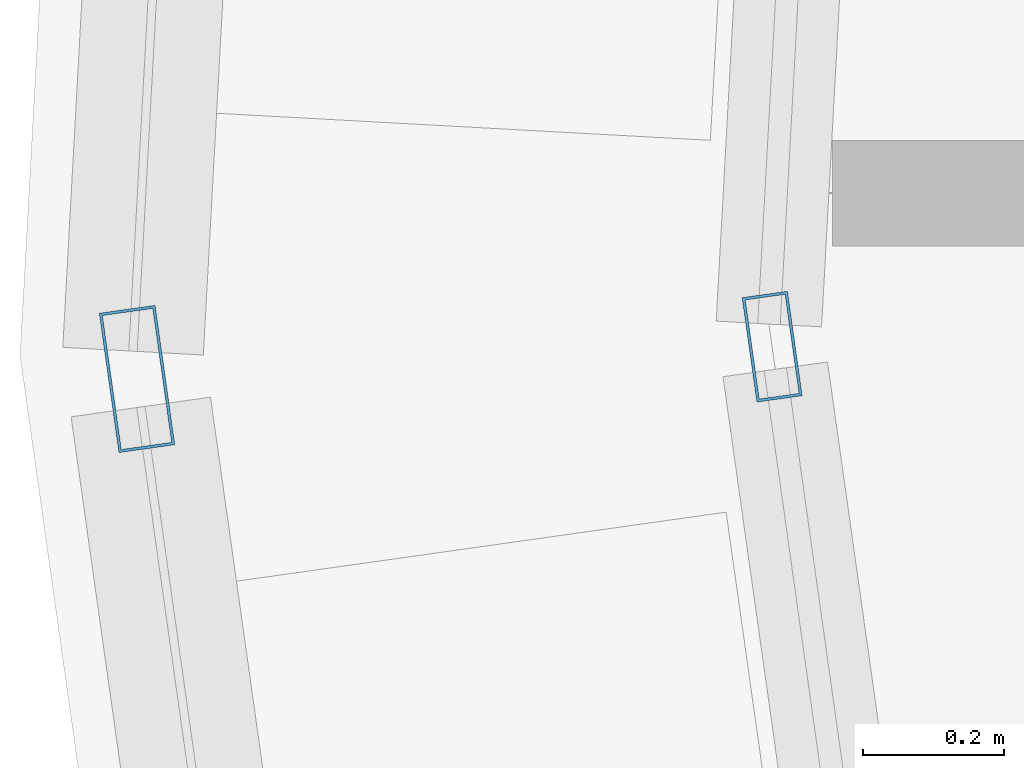
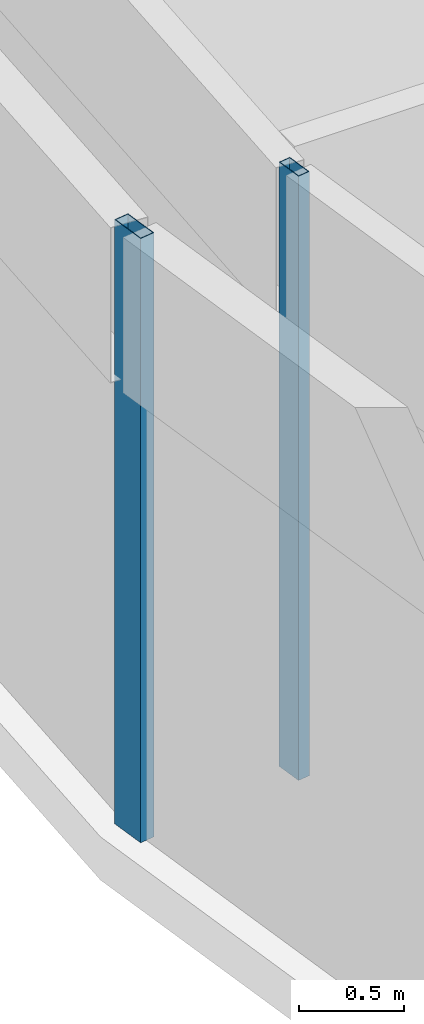
# One storey, part 4 of 40: 2 members, 2 elements without a shape of their own.
"""IFC4 building model written with IfcOpenShell, lengths in metres."""

from ifc_helpers import new_model, si_unit, direction, frame, origin, origin_2d, place, context, subcontext, project, spatial, hollow_rectangle, extrude, material, material_profile, profile_set, type_object, element, aggregate, save


model = new_model("IFC4")

# Units and contexts
model_context = context("Model", 3, precision=1e-05, world=origin(), true_north=direction((0.0, 1.0)))
body_context = subcontext(model_context, "Body", "Model", "MODEL_VIEW")
ifc_project = project(units=[si_unit("LENGTHUNIT", "METRE"), si_unit("AREAUNIT", "SQUARE_METRE"), si_unit("VOLUMEUNIT", "CUBIC_METRE"), si_unit("PLANEANGLEUNIT", "RADIAN"), si_unit("MASSUNIT", "GRAM", prefix="KILO")], contexts=[model_context])

# Site, building, storey
site_placement = place(None, origin())
site = spatial("IfcSite", under=ifc_project, at=site_placement, CompositionType="ELEMENT")
building_placement = place(site_placement, origin())
building = spatial("IfcBuilding", under=site, at=building_placement, Name="Rekha Terrace Tower", CompositionType="ELEMENT")
storey_placement = place(building_placement, frame((0.0, 0.0, 95.300048828125)))
storey = spatial("IfcBuildingStorey", under=building, at=storey_placement, Name="L23", CompositionType="ELEMENT", Elevation=95.300048828125)

# Curtain wall, member
ifc_material_1 = material(Name="Aluminium framing", Category="aluminium")
curtain_wall_type_1 = type_object("IfcCurtainWallType", Name="CW1 double skin inner glazing", PredefinedType="USERDEFINED", material=ifc_material_1)
curtain_wall_1_placement = place(storey_placement, origin())
curtain_wall_1 = element("IfcCurtainWall", 1, at=curtain_wall_1_placement, inside=storey, type_object=curtain_wall_type_1, Name="CW1 double skin inner glazing", ObjectType="DOUBLE SKIN INNER GLAZING", PredefinedType="USERDEFINED")
ifc_material_2 = material(Name="Aluminium mullion section", Category="aluminium")
ifc_material_profile_1 = material_profile(ifc_material_2, hollow_rectangle(XDim=0.06494140625, YDim=0.14990234375, WallThickness=0.00390625, at=origin_2d()), Name="AL RHS 65x150")
ifc_profile_set_1 = profile_set([ifc_material_profile_1], Name="Aluminium mullion section")
member_type_1 = type_object("IfcMemberType", Name="CW1 mullion RHS 65 x 150", PredefinedType="MULLION", material=ifc_profile_set_1)
member_1_placement = place(storey_placement, frame((5.86865234375, 27.78125, 0.0), z_axis=(0.0, 0.0, 1.0), x_axis=(0.99020839432, 0.13959704803, 0.0)))
member_1 = element("IfcMember", 2, at=member_1_placement, type_object=member_type_1, Name="CW1 mullion 1", PredefinedType="MULLION", context=body_context, shape_type="SweptSolid", body=[
    extrude(hollow_rectangle(XDim=0.06494140625, YDim=0.14990234375, WallThickness=0.00390625, at=origin_2d()), origin(), (0.0, 0.0, 1.0), 3.5),
])
aggregate(curtain_wall_1, [member_1])

curtain_wall_type_2 = type_object("IfcCurtainWallType", Name="CW2 double skin outer glazing", PredefinedType="USERDEFINED", material=ifc_material_1)
curtain_wall_2_placement = place(storey_placement, origin())
curtain_wall_2 = element("IfcCurtainWall", 3, at=curtain_wall_2_placement, inside=storey, type_object=curtain_wall_type_2, Name="CW2 double skin outer glazing", ObjectType="DOUBLE SKIN OUTER GLAZING", PredefinedType="USERDEFINED")
ifc_material_profile_2 = material_profile(ifc_material_2, hollow_rectangle(XDim=0.080078125, YDim=0.199951171875, WallThickness=0.00390625, at=origin_2d()), Name="AL RHS 80x200")
ifc_profile_set_2 = profile_set([ifc_material_profile_2], Name="Aluminium mullion section")
member_type_2 = type_object("IfcMemberType", Name="CW2 mullion RHS 80 x 200", PredefinedType="MULLION", material=ifc_profile_set_2)
member_2_placement = place(storey_placement, frame((4.96630859375, 27.7353515625, 0.0), z_axis=(0.0, 0.0, 1.0), x_axis=(0.990208394312, 0.139597048082, 0.0)))
member_2 = element("IfcMember", 4, at=member_2_placement, type_object=member_type_2, Name="CW2 mullion 1", PredefinedType="MULLION", context=body_context, shape_type="SweptSolid", body=[
    extrude(hollow_rectangle(XDim=0.080078125, YDim=0.199951171875, WallThickness=0.00390625, at=origin_2d()), origin(), (0.0, 0.0, 1.0), 3.5),
])
aggregate(curtain_wall_2, [member_2])

save(model, "model.ifc")
